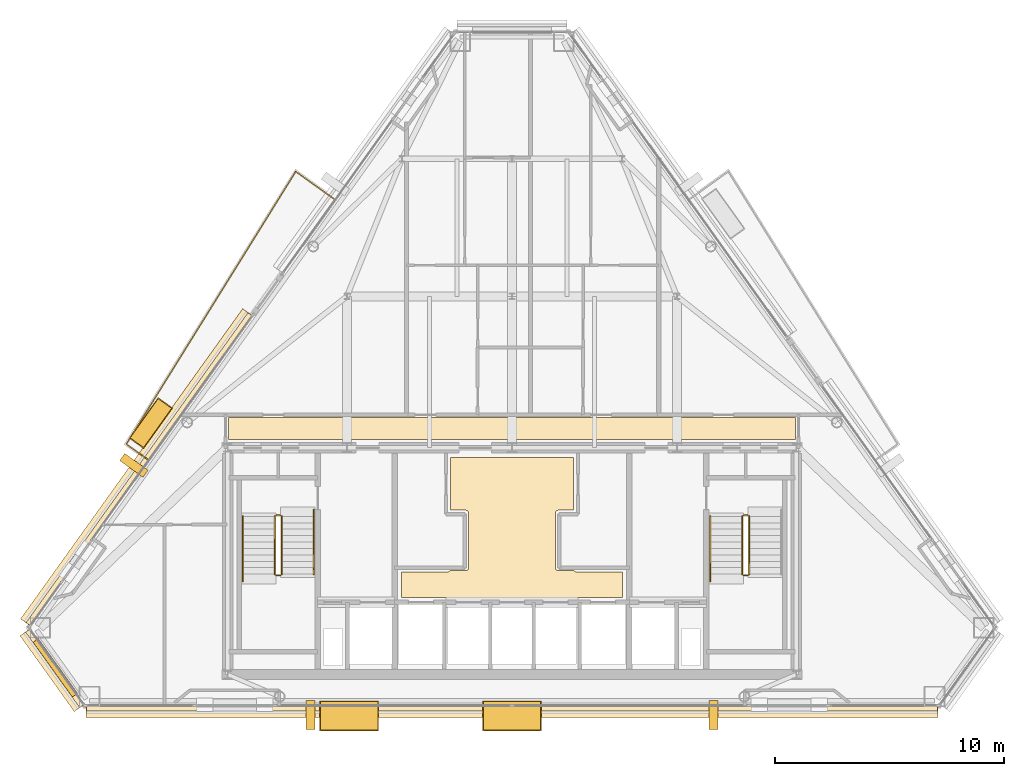
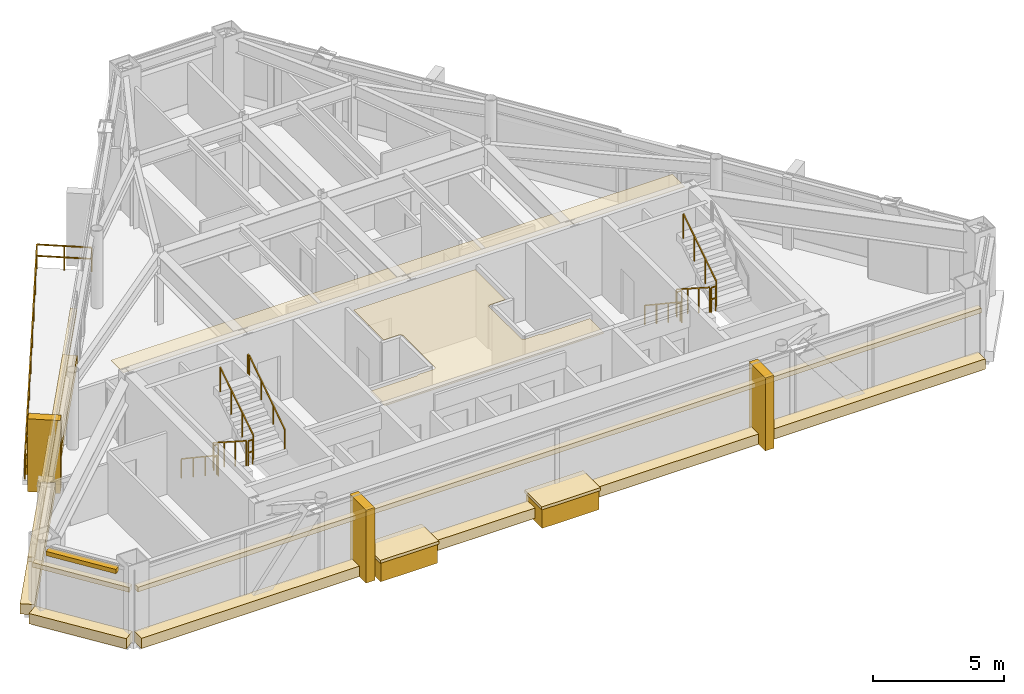
# One storey, part 11 of 12: 17 coverings, 12 railings, 1 shading device.
"""IFC4 building model written with IfcOpenShell, lengths in metres."""

from ifc_helpers import new_model, si_unit, direction, frame, origin, origin_2d, place, context, subcontext, project, spatial, polyline, rectangle, outline, extrude, source, transform, mapped, material, layer, layer_set, type_object, type_shapes, element, save


model = new_model("IFC4")

# Units and contexts
model_context = context("Model", 3, precision=1e-05, world=origin(), true_north=direction((0.0, 1.0)))
body_context = subcontext(model_context, "Body", "Model", "MODEL_VIEW")
ifc_project = project(units=[si_unit("LENGTHUNIT", "METRE"), si_unit("AREAUNIT", "SQUARE_METRE"), si_unit("VOLUMEUNIT", "CUBIC_METRE"), si_unit("PLANEANGLEUNIT", "RADIAN"), si_unit("MASSUNIT", "GRAM", prefix="KILO")], contexts=[model_context])

# Site, building, storey
site_placement = place(None, origin())
site = spatial("IfcSite", under=ifc_project, at=site_placement, CompositionType="ELEMENT")
building_placement = place(site_placement, origin())
building = spatial("IfcBuilding", under=site, at=building_placement, Name="Talgorran Terracotta Tower", CompositionType="ELEMENT")
storey_placement = place(building_placement, frame((0.0, 0.0, 249.0)))
storey = spatial("IfcBuildingStorey", under=building, at=storey_placement, Name="L65", CompositionType="ELEMENT", Elevation=249.0)

# Coverings
ifc_material_1 = material(Name="Kiln-Fired Terracotta Ochre Ceramic", Category="masonry")
ifc_layer_1 = layer(ifc_material_1, 0.179931640625, Name="COV_BAGUETTE_TERRACOTTA_SCREEN")
ifc_layer_set_1 = layer_set([ifc_layer_1], Name="Kiln-Fired Terracotta Ochre Ceramic")
covering_type_1 = type_object("IfcCoveringType", Name="COV_BAGUETTE_TERRACOTTA_SCREEN", PredefinedType="CLADDING", material=ifc_layer_set_1)
covering_1_placement = place(storey_placement, frame((-19.938720703125, -13.818115234375, 2.41015625), z_axis=(0.0, 0.0, 1.0), x_axis=(0.582222304811, -0.813029635242, 0.0)))
element("IfcCovering", 1, at=covering_1_placement, inside=storey, type_object=covering_type_1, Name="L65 Terracotta Baguette Solar Screen Assembly F0", PredefinedType="CLADDING", context=body_context, shape_type="SweptSolid", body=[
    extrude(rectangle(XDim=4.050048828125, YDim=0.260009765625, at=origin_2d()), origin(), (0.0, 0.0, 1.0), 0.219970703125),
])
covering_2_placement = place(storey_placement, frame((0.0, -15.563232421875, 2.41015625), z_axis=(0.0, 0.0, 1.0), x_axis=(1.0, 0.0, 0.0)))
element("IfcCovering", 2, at=covering_2_placement, inside=storey, type_object=covering_type_1, Name="L65 Terracotta Baguette Solar Screen Assembly F1", PredefinedType="CLADDING", context=body_context, shape_type="SweptSolid", body=[
    extrude(rectangle(XDim=37.13525390625, YDim=0.260009765625, at=origin_2d()), origin(), (0.0, 0.0, 1.0), 0.219970703125),
])
covering_3_placement = place(storey_placement, frame((-16.253662109375, -5.149169921875, 2.41015625), z_axis=(0.0, 0.0, 1.0), x_axis=(-0.582208114678, -0.813039796814, 0.0)))
element("IfcCovering", 3, at=covering_3_placement, inside=storey, type_object=covering_type_1, Name="L65 Terracotta Baguette Solar Screen Assembly F61", PredefinedType="CLADDING", context=body_context, shape_type="SweptSolid", body=[
    extrude(rectangle(XDim=16.628662109375, YDim=0.260009765625, at=origin_2d()), origin(), (0.0, 0.0, 1.0), 0.219970703125),
])
ifc_material_2 = material(Name="Mineral Fibre Acoustic Tile")
ifc_layer_2 = layer(ifc_material_2, 0.02490234375, Name="COV_CEIL_ACOUSTIC")
ifc_layer_set_2 = layer_set([ifc_layer_2], Name="Mineral Fibre Acoustic Tile")
covering_type_2 = type_object("IfcCoveringType", Name="COV_CEIL_ACOUSTIC", PredefinedType="CEILING", material=ifc_layer_set_2)
covering_4_placement = place(storey_placement, frame((0.0, 0.0, 3.2548828125)))
element("IfcCovering", 4, at=covering_4_placement, inside=storey, type_object=covering_type_2, Name="CEIL-L65-2", PredefinedType="CEILING", context=body_context, shape_type="SweptSolid", body=[
    extrude(outline(polyline([(-12.364990234375, -2.885009765625), (12.364990234375, -2.885009765625), (12.364990234375, -3.844970703125), (7.432861328125, -3.844970703125), (6.968017578125, -3.843017578125), (6.967529296875, -3.843017578125), (0.232666015625, -3.844970703125), (-0.23193359375, -3.843017578125), (-0.232421875, -3.843017578125), (-6.96728515625, -3.844970703125), (-7.431884765625, -3.843017578125), (-7.4326171875, -3.843017578125), (-12.364990234375, -3.844970703125), (-12.364990234375, -2.885009765625)])), origin(), (0.0, 0.0, 1.0), 0.02001953125),
])
ifc_material_3 = material(Name="Flush Moisture-Resistant Plaster")
ifc_layer_3 = layer(ifc_material_3, 0.01806640625, Name="COV_CEIL_PLASTER")
ifc_layer_set_3 = layer_set([ifc_layer_3], Name="Flush Moisture-Resistant Plaster")
covering_type_3 = type_object("IfcCoveringType", Name="COV_CEIL_PLASTER", PredefinedType="CEILING", material=ifc_layer_set_3)
covering_5_placement = place(storey_placement, frame((0.0, 0.0, 3.2548828125)))
element("IfcCovering", 5, at=covering_5_placement, inside=storey, type_object=covering_type_3, Name="CEIL-L65-1", PredefinedType="CEILING", context=body_context, shape_type="SweptSolid", body=[
    extrude(outline(polyline([(-2.70263671875, -9.570068359375), (-2.02001953125, -9.570068359375), (-2.00830078125, -9.5693359375), (-1.99658203125, -9.567626953125), (-1.985107421875, -9.564697265625), (-1.97412109375, -9.560791015625), (-1.96337890625, -9.555908203125), (-1.953369140625, -9.5498046875), (-1.94384765625, -9.542724609375), (-1.93505859375, -9.534912109375), (-1.92724609375, -9.526123046875), (-1.920166015625, -9.5166015625), (-1.914306640625, -9.506591796875), (-1.9091796875, -9.495849609375), (-1.9052734375, -9.48486328125), (-1.90234375, -9.473388671875), (-1.900634765625, -9.4619140625), (-1.89990234375, -9.449951171875), (-1.89990234375, -7.050048828125), (-1.900634765625, -7.0380859375), (-1.90234375, -7.026611328125), (-1.9052734375, -7.01513671875), (-1.9091796875, -7.004150390625), (-1.914306640625, -6.993408203125), (-1.920166015625, -6.9833984375), (-1.92724609375, -6.973876953125), (-1.93505859375, -6.965087890625), (-1.94384765625, -6.957275390625), (-1.953369140625, -6.9501953125), (-1.96337890625, -6.944091796875), (-1.97412109375, -6.939208984375), (-1.985107421875, -6.935302734375), (-1.99658203125, -6.932373046875), (-2.00830078125, -6.9306640625), (-2.02001953125, -6.929931640625), (-2.679931640625, -6.929931640625), (-2.679931640625, -4.6201171875), (2.679931640625, -4.6201171875), (2.679931640625, -6.929931640625), (2.02001953125, -6.929931640625), (2.00830078125, -6.9306640625), (1.99658203125, -6.932373046875), (1.985107421875, -6.935302734375), (1.97412109375, -6.939208984375), (1.96337890625, -6.944091796875), (1.953369140625, -6.9501953125), (1.94384765625, -6.957275390625), (1.93505859375, -6.965087890625), (1.92724609375, -6.973876953125), (1.920166015625, -6.9833984375), (1.914306640625, -6.993408203125), (1.9091796875, -7.004150390625), (1.9052734375, -7.01513671875), (1.90234375, -7.026611328125), (1.900634765625, -7.0380859375), (1.89990234375, -7.050048828125), (1.89990234375, -9.449951171875), (1.900634765625, -9.4619140625), (1.90234375, -9.473388671875), (1.9052734375, -9.48486328125), (1.9091796875, -9.495849609375), (1.914306640625, -9.506591796875), (1.920166015625, -9.5166015625), (1.92724609375, -9.526123046875), (1.93505859375, -9.534912109375), (1.94384765625, -9.542724609375), (1.953369140625, -9.5498046875), (1.96337890625, -9.555908203125), (1.97412109375, -9.560791015625), (1.985107421875, -9.564697265625), (1.99658203125, -9.567626953125), (2.00830078125, -9.5693359375), (2.02001953125, -9.570068359375), (2.70263671875, -9.570068359375), (2.707275390625, -9.576171875), (2.715087890625, -9.5849609375), (2.723876953125, -9.5927734375), (2.7333984375, -9.599853515625), (2.743408203125, -9.605712890625), (2.754150390625, -9.61083984375), (2.76513671875, -9.61474609375), (2.776611328125, -9.61767578125), (2.7880859375, -9.619384765625), (2.800048828125, -9.6201171875), (4.830078125, -9.6201171875), (4.830078125, -10.72998046875), (-4.830078125, -10.72998046875), (-4.830078125, -9.6201171875), (-2.800048828125, -9.6201171875), (-2.7880859375, -9.619384765625), (-2.776611328125, -9.61767578125), (-2.76513671875, -9.61474609375), (-2.754150390625, -9.61083984375), (-2.743408203125, -9.605712890625), (-2.7333984375, -9.599853515625), (-2.723876953125, -9.5927734375), (-2.715087890625, -9.5849609375), (-2.707275390625, -9.576171875), (-2.70263671875, -9.570068359375)])), origin(), (0.0, 0.0, 1.0), 0.02001953125),
])
ifc_material_4 = material(Name="Honed Limestone and Terracotta Planter", Category="masonry")
ifc_layer_4 = layer(ifc_material_4, 0.1201171875, Name="COV_PLANTER_BOX")
ifc_layer_set_4 = layer_set([ifc_layer_4], Name="Honed Limestone and Terracotta Planter")
covering_type_4 = type_object("IfcCoveringType", Name="COV_PLANTER_BOX", PredefinedType="CLADDING", material=ifc_layer_set_4)
for number, where, z_axis, x_axis, name in (
    (6, (-7.105712890625, -15.9033203125, -0.179931640625), (0.0, 0.0, 1.0), (1.0, 0.0, 0.0), "L65 Staggered South Facade Planter Box 1"),
    (7, (0.0, -15.9033203125, -0.179931640625), (0.0, 0.0, 1.0), (1.0, 0.0, 0.0), "L65 Staggered South Facade Planter Box 2"),
):
    element("IfcCovering", number, at=place(storey_placement, frame(where, z_axis=z_axis, x_axis=x_axis)), inside=storey, type_object=covering_type_4, Name=name, PredefinedType="CLADDING", context=body_context, shape_type="SweptSolid", body=[
        extrude(rectangle(XDim=2.5, YDim=1.25, at=origin_2d()), origin(), (0.0, 0.0, 1.0), 0.919921875),
    ])
covering_6_placement = place(storey_placement, frame((-15.75439453125, -3.12939453125, -0.02001953125), z_axis=(0.0, 0.0, 1.0), x_axis=(-0.582208114678, -0.813039796814, 0.0)))
element("IfcCovering", 8, at=covering_6_placement, inside=storey, type_object=covering_type_4, Name="L65 Staggered Balcony Planter Box BAL-NW", PredefinedType="CLADDING", context=body_context, shape_type="SweptSolid", body=[
    extrude(rectangle(XDim=2.10009765625, YDim=0.719970703125, at=origin_2d()), origin(), (0.0, 0.0, 1.0), 0.860107421875),
])
ifc_material_5 = material(Name="Kiln-Fired Terracotta Planter Rim", Category="masonry")
ifc_layer_5 = layer(ifc_material_5, 0.10009765625, Name="COV_PLANTER_RIM")
ifc_layer_set_5 = layer_set([ifc_layer_5], Name="Kiln-Fired Terracotta Planter Rim")
covering_type_5 = type_object("IfcCoveringType", Name="COV_PLANTER_RIM", PredefinedType="CLADDING", material=ifc_layer_set_5)
for number, where, z_axis, x_axis, name in (
    (9, (-7.105712890625, -15.9033203125, 0.7099609375), (0.0, 0.0, 1.0), (1.0, 0.0, 0.0), "L65 South Planter Terracotta Rim 1"),
    (10, (0.0, -15.9033203125, 0.7099609375), (0.0, 0.0, 1.0), (1.0, 0.0, 0.0), "L65 South Planter Terracotta Rim 2"),
):
    element("IfcCovering", number, at=place(storey_placement, frame(where, z_axis=z_axis, x_axis=x_axis)), inside=storey, type_object=covering_type_5, Name=name, PredefinedType="CLADDING", context=body_context, shape_type="SweptSolid", body=[
        extrude(rectangle(XDim=2.580078125, YDim=1.320068359375, at=origin_2d()), origin(), (0.0, 0.0, 1.0), 0.139892578125),
    ])
covering_7_placement = place(storey_placement, frame((-15.75439453125, -3.12939453125, 0.800048828125), z_axis=(0.0, 0.0, 1.0), x_axis=(-0.582208114678, -0.813039796814, 0.0)))
element("IfcCovering", 11, at=covering_7_placement, inside=storey, type_object=covering_type_5, Name="L65 Balcony Planter Terracotta Rim BAL-NW", PredefinedType="CLADDING", context=body_context, shape_type="SweptSolid", body=[
    extrude(rectangle(XDim=2.179931640625, YDim=0.780029296875, at=origin_2d()), origin(), (0.0, 0.0, 1.0), 0.1201171875),
])
ifc_material_6 = material(Name="Honed Limestone Cladding", Category="masonry")
ifc_layer_6 = layer(ifc_material_6, 0.094970703125, Name="COV_PORTAL_LIME")
ifc_layer_set_6 = layer_set([ifc_layer_6], Name="Honed Limestone Cladding")
covering_type_6 = type_object("IfcCoveringType", Name="COV_PORTAL_LIME", PredefinedType="CLADDING", material=ifc_layer_set_6)
covering_8_placement = place(storey_placement, frame((-8.788818359375, -15.86328125, -0.050048828125), z_axis=(0.0, 0.0, 1.0), x_axis=(1.0, 0.0, 0.0)))
element("IfcCovering", 12, at=covering_8_placement, inside=storey, type_object=covering_type_6, Name="L65 White Striped Portal Fin F1-1", PredefinedType="CLADDING", context=body_context, shape_type="SweptSolid", body=[
    extrude(rectangle(XDim=0.3798828125, YDim=1.25, at=origin_2d()), origin(), (0.0, 0.0, 1.0), 3.39501953125),
])
ifc_material_7 = material(Name="Kiln-Fired Terracotta Cladding", Category="masonry")
ifc_layer_7 = layer(ifc_material_7, 0.090087890625, Name="COV_PORTAL_TERRA")
ifc_layer_set_7 = layer_set([ifc_layer_7], Name="Kiln-Fired Terracotta Cladding")
covering_type_7 = type_object("IfcCoveringType", Name="COV_PORTAL_TERRA", PredefinedType="CLADDING", material=ifc_layer_set_7)
covering_9_placement = place(storey_placement, frame((-20.052490234375, -13.899658203125, -0.0400390625), z_axis=(0.0, 0.0, 1.0), x_axis=(0.582222304811, -0.813029635242, 0.0)))
element("IfcCovering", 13, at=covering_9_placement, inside=storey, type_object=covering_type_7, Name="L65 Striped Postmodern Portal Cladding Band F0", PredefinedType="CLADDING", context=body_context, shape_type="SweptSolid", body=[
    extrude(rectangle(XDim=4.070068359375, YDim=0.56005859375, at=origin_2d()), origin(), (0.0, 0.0, 1.0), 0.47998046875),
])
covering_10_placement = place(storey_placement, frame((0.0, -15.703369140625, -0.0400390625), z_axis=(0.0, 0.0, 1.0), x_axis=(1.0, 0.0, 0.0)))
element("IfcCovering", 14, at=covering_10_placement, inside=storey, type_object=covering_type_7, Name="L65 Striped Postmodern Portal Cladding Band F1", PredefinedType="CLADDING", context=body_context, shape_type="SweptSolid", body=[
    extrude(rectangle(XDim=37.1552734375, YDim=0.56005859375, at=origin_2d()), origin(), (0.0, 0.0, 1.0), 0.47998046875),
])
covering_11_placement = place(storey_placement, frame((-16.367431640625, -5.067626953125, -0.0400390625), z_axis=(0.0, 0.0, 1.0), x_axis=(-0.582208114678, -0.813039796814, 0.0)))
element("IfcCovering", 15, at=covering_11_placement, inside=storey, type_object=covering_type_7, Name="L65 Striped Postmodern Portal Cladding Band F61", PredefinedType="CLADDING", context=body_context, shape_type="SweptSolid", body=[
    extrude(rectangle(XDim=16.648681640625, YDim=0.56005859375, at=origin_2d()), origin(), (0.0, 0.0, 1.0), 0.47998046875),
])
for number, where, z_axis, x_axis, name in (
    (16, (8.788818359375, -15.86328125, -0.050048828125), (0.0, 0.0, 1.0), (1.0, 0.0, 0.0), "L65 Terracotta Striped Portal Fin F1-2"),
    (17, (-16.4970703125, -4.9736328125, -0.050048828125), (0.0, 0.0, 1.0), (-0.582208114678, -0.813039796814, 0.0), "L65 Terracotta Striped Portal Fin F5-2"),
):
    element("IfcCovering", number, at=place(storey_placement, frame(where, z_axis=z_axis, x_axis=x_axis)), inside=storey, type_object=covering_type_7, Name=name, PredefinedType="CLADDING", context=body_context, shape_type="SweptSolid", body=[
        extrude(rectangle(XDim=0.3798828125, YDim=1.25, at=origin_2d()), origin(), (0.0, 0.0, 1.0), 3.39501953125),
    ])

# Railings
ifc_material_8 = material(Name="Laminated Glass and Stainless Steel 316", Category="steel")
railing_type_1 = type_object("IfcRailingType", Name="RL_BALCONY_1150", PredefinedType="BALUSTRADE", material=ifc_material_8)
railing_1_placement = place(storey_placement, frame((-7.726318359375, 6.62158203125, 0.0)))
element("IfcRailing", 18, at=railing_1_placement, inside=storey, type_object=railing_type_1, Name="RL-L65-BAL-BAL-NW", PredefinedType="BALUSTRADE", context=body_context, shape_type="SweptSolid", body=[
    extrude(rectangle(XDim=0.048095703125, YDim=0.048095703125, at=origin_2d()), frame((0.0, 0.0, 1.1259765625), z_axis=(-0.813026876026, 0.582226157828, 0.0), x_axis=(-0.582226157828, -0.813026876026, 0.0)), (0.0, 0.0, 1.0), 2.102783203125),
    extrude(rectangle(XDim=0.048095703125, YDim=0.048095703125, at=origin_2d()), frame((0.0, 0.0, 0.597900390625), z_axis=(-0.813026876026, 0.582226157828, 0.0), x_axis=(-0.582226157828, -0.813026876026, 0.0)), (0.0, 0.0, 1.0), 2.102783203125),
    extrude(rectangle(XDim=0.048095703125, YDim=0.048095703125, at=origin_2d()), frame((-1.709716796875, 1.224365234375, 1.1259765625), z_axis=(-0.527807671519, -0.849363916049, 0.0), x_axis=(0.849363916049, -0.527807671519, 0.0)), (0.0, 0.0, 1.0), 14.001953125),
    extrude(rectangle(XDim=0.048095703125, YDim=0.048095703125, at=origin_2d()), frame((-1.709716796875, 1.224365234375, 0.597900390625), z_axis=(-0.527807671519, -0.849363916049, 0.0), x_axis=(0.849363916049, -0.527807671519, 0.0)), (0.0, 0.0, 1.0), 14.001953125),
    extrude(rectangle(XDim=0.048095703125, YDim=0.048095703125, at=origin_2d()), frame((-9.10009765625, -10.66845703125, 1.1259765625), z_axis=(0.81307992825, -0.582152068001, 0.0), x_axis=(0.582152068001, 0.81307992825, 0.0)), (0.0, 0.0, 1.0), 1.187255859375),
    extrude(rectangle(XDim=0.048095703125, YDim=0.048095703125, at=origin_2d()), frame((-9.10009765625, -10.66845703125, 0.597900390625), z_axis=(0.81307992825, -0.582152068001, 0.0), x_axis=(0.582152068001, 0.81307992825, 0.0)), (0.0, 0.0, 1.0), 1.187255859375),
    extrude(rectangle(XDim=0.0419921875, YDim=0.0419921875, at=origin_2d()), origin(), (0.0, 0.0, 1.0), 1.101806640625),
    extrude(rectangle(XDim=0.0419921875, YDim=0.0419921875, at=origin_2d()), frame((-0.85498046875, 0.6123046875, 0.0)), (0.0, 0.0, 1.0), 1.101806640625),
    extrude(rectangle(XDim=0.0419921875, YDim=0.0419921875, at=origin_2d()), frame((-1.709716796875, 1.224365234375, 0.0)), (0.0, 0.0, 1.0), 1.101806640625),
    extrude(rectangle(XDim=0.0419921875, YDim=0.0419921875, at=origin_2d()), frame((-2.633544921875, -0.26220703125, 0.0)), (0.0, 0.0, 1.0), 1.101806640625),
    extrude(rectangle(XDim=0.0419921875, YDim=0.0419921875, at=origin_2d()), frame((-3.557373046875, -1.748779296875, 0.0)), (0.0, 0.0, 1.0), 1.101806640625),
    extrude(rectangle(XDim=0.0419921875, YDim=0.0419921875, at=origin_2d()), frame((-4.481201171875, -3.2353515625, 0.0)), (0.0, 0.0, 1.0), 1.101806640625),
    extrude(rectangle(XDim=0.0419921875, YDim=0.0419921875, at=origin_2d()), frame((-5.40478515625, -4.72216796875, 0.0)), (0.0, 0.0, 1.0), 1.101806640625),
    extrude(rectangle(XDim=0.0419921875, YDim=0.0419921875, at=origin_2d()), frame((-6.32861328125, -6.208740234375, 0.0)), (0.0, 0.0, 1.0), 1.101806640625),
    extrude(rectangle(XDim=0.0419921875, YDim=0.0419921875, at=origin_2d()), frame((-7.25244140625, -7.6953125, 0.0)), (0.0, 0.0, 1.0), 1.101806640625),
    extrude(rectangle(XDim=0.0419921875, YDim=0.0419921875, at=origin_2d()), frame((-8.17626953125, -9.181884765625, 0.0)), (0.0, 0.0, 1.0), 1.101806640625),
    extrude(rectangle(XDim=0.0419921875, YDim=0.0419921875, at=origin_2d()), frame((-9.10009765625, -10.66845703125, 0.0)), (0.0, 0.0, 1.0), 1.101806640625),
    extrude(rectangle(XDim=0.0419921875, YDim=0.0419921875, at=origin_2d()), frame((-8.134765625, -11.359619140625, 0.0)), (0.0, 0.0, 1.0), 1.101806640625),
])
ifc_material_9 = material(Name="Steel S355 (300PLUS)", Category="steel")
railing_type_2 = type_object("IfcRailingType", Name="RL_HANDRAIL_920", PredefinedType="HANDRAIL", material=ifc_material_9)
railing_2_placement = place(storey_placement, frame((-11.75, -7.199951171875, 0.179931640625)))
element("IfcRailing", 19, at=railing_2_placement, inside=storey, type_object=railing_type_2, Name="L65 ST-01 stair handrail 1", PredefinedType="HANDRAIL", context=body_context, shape_type="SweptSolid", body=[
    extrude(rectangle(XDim=0.048095703125, YDim=0.048095703125, at=origin_2d()), frame((0.0, 0.0, 0.89599609375), z_axis=(0.0, -0.832038719335, 0.554717558338), x_axis=(1.0, 0.0, 0.0)), (0.0, 0.0, 1.0), 3.244873046875),
    extrude(rectangle(XDim=0.048095703125, YDim=0.048095703125, at=origin_2d()), frame((0.0, -2.699951171875, 2.69580078125), z_axis=(0.0, -1.0, 0.0), x_axis=(1.0, 0.0, 0.0)), (0.0, 0.0, 1.0), 0.1201171875),
    extrude(rectangle(XDim=0.0419921875, YDim=0.0419921875, at=origin_2d()), origin(), (0.0, 0.0, 1.0), 0.871826171875),
    extrude(rectangle(XDim=0.0419921875, YDim=0.0419921875, at=origin_2d()), frame((0.0, -0.89990234375, 0.60009765625)), (0.0, 0.0, 1.0), 0.871826171875),
    extrude(rectangle(XDim=0.0419921875, YDim=0.0419921875, at=origin_2d()), frame((0.0, -1.800048828125, 1.199951171875)), (0.0, 0.0, 1.0), 0.871826171875),
    extrude(rectangle(XDim=0.0419921875, YDim=0.0419921875, at=origin_2d()), frame((0.0, -2.699951171875, 1.800048828125)), (0.0, 0.0, 1.0), 0.871826171875),
    extrude(rectangle(XDim=0.0419921875, YDim=0.0419921875, at=origin_2d()), frame((0.0, -2.820068359375, 1.800048828125)), (0.0, 0.0, 1.0), 0.871826171875),
])
railing_3_placement = place(storey_placement, frame((-8.64990234375, -9.719970703125, 1.97998046875)))
element("IfcRailing", 20, at=railing_3_placement, inside=storey, type_object=railing_type_2, Name="L65 ST-01 stair handrail 2", PredefinedType="HANDRAIL", context=body_context, shape_type="SweptSolid", body=[
    extrude(rectangle(XDim=0.048095703125, YDim=0.048095703125, at=origin_2d()), frame((0.0, 0.0, 0.89599609375), z_axis=(0.0, 0.832038719335, 0.554717558338), x_axis=(-1.0, 0.0, 0.0)), (0.0, 0.0, 1.0), 3.244873046875),
    extrude(rectangle(XDim=0.048095703125, YDim=0.048095703125, at=origin_2d()), frame((0.0, 2.699951171875, 2.69580078125), z_axis=(0.0, 1.0, 0.0), x_axis=(-1.0, 0.0, 0.0)), (0.0, 0.0, 1.0), 0.1201171875),
    extrude(rectangle(XDim=0.0419921875, YDim=0.0419921875, at=origin_2d()), origin(), (0.0, 0.0, 1.0), 0.871826171875),
    extrude(rectangle(XDim=0.0419921875, YDim=0.0419921875, at=origin_2d()), frame((0.0, 0.89990234375, 0.60009765625)), (0.0, 0.0, 1.0), 0.871826171875),
    extrude(rectangle(XDim=0.0419921875, YDim=0.0419921875, at=origin_2d()), frame((0.0, 1.800048828125, 1.199951171875)), (0.0, 0.0, 1.0), 0.871826171875),
    extrude(rectangle(XDim=0.0419921875, YDim=0.0419921875, at=origin_2d()), frame((0.0, 2.699951171875, 1.800048828125)), (0.0, 0.0, 1.0), 0.871826171875),
    extrude(rectangle(XDim=0.0419921875, YDim=0.0419921875, at=origin_2d()), frame((0.0, 2.820068359375, 1.800048828125)), (0.0, 0.0, 1.0), 0.871826171875),
])
railing_4_placement = place(storey_placement, frame((8.64990234375, -7.199951171875, 0.179931640625)))
element("IfcRailing", 21, at=railing_4_placement, inside=storey, type_object=railing_type_2, Name="L65 ST-02 stair handrail 1", PredefinedType="HANDRAIL", context=body_context, shape_type="SweptSolid", body=[
    extrude(rectangle(XDim=0.048095703125, YDim=0.048095703125, at=origin_2d()), frame((0.0, 0.0, 0.89599609375), z_axis=(0.0, -0.832038719335, 0.554717558338), x_axis=(1.0, 0.0, 0.0)), (0.0, 0.0, 1.0), 3.244873046875),
    extrude(rectangle(XDim=0.048095703125, YDim=0.048095703125, at=origin_2d()), frame((0.0, -2.699951171875, 2.69580078125), z_axis=(0.0, -1.0, 0.0), x_axis=(1.0, 0.0, 0.0)), (0.0, 0.0, 1.0), 0.1201171875),
    extrude(rectangle(XDim=0.0419921875, YDim=0.0419921875, at=origin_2d()), origin(), (0.0, 0.0, 1.0), 0.871826171875),
    extrude(rectangle(XDim=0.0419921875, YDim=0.0419921875, at=origin_2d()), frame((0.0, -0.89990234375, 0.60009765625)), (0.0, 0.0, 1.0), 0.871826171875),
    extrude(rectangle(XDim=0.0419921875, YDim=0.0419921875, at=origin_2d()), frame((0.0, -1.800048828125, 1.199951171875)), (0.0, 0.0, 1.0), 0.871826171875),
    extrude(rectangle(XDim=0.0419921875, YDim=0.0419921875, at=origin_2d()), frame((0.0, -2.699951171875, 1.800048828125)), (0.0, 0.0, 1.0), 0.871826171875),
    extrude(rectangle(XDim=0.0419921875, YDim=0.0419921875, at=origin_2d()), frame((0.0, -2.820068359375, 1.800048828125)), (0.0, 0.0, 1.0), 0.871826171875),
])
railing_type_3 = type_object("IfcRailingType", Name="RL_STAIR_GUARD", PredefinedType="GUARDRAIL", material=ifc_material_9)
railing_5_placement = place(storey_placement, frame((-10.35009765625, -7.199951171875, 0.179931640625)))
element("IfcRailing", 22, at=railing_5_placement, inside=storey, type_object=railing_type_3, Name="L65 ST-01 stair guard 1", PredefinedType="GUARDRAIL", context=body_context, shape_type="SweptSolid", body=[
    extrude(rectangle(XDim=0.048095703125, YDim=0.048095703125, at=origin_2d()), frame((0.0, 0.0, 1.15576171875), z_axis=(0.0, -0.841162588446, 0.540782303519), x_axis=(1.0, 0.0, 0.0)), (0.0, 0.0, 1.0), 2.995849609375),
    extrude(rectangle(XDim=0.0419921875, YDim=0.0419921875, at=origin_2d()), origin(), (0.0, 0.0, 1.0), 1.1318359375),
    extrude(rectangle(XDim=0.0419921875, YDim=0.0419921875, at=origin_2d()), frame((0.0, -0.840087890625, 0.5400390625)), (0.0, 0.0, 1.0), 1.1318359375),
    extrude(rectangle(XDim=0.0419921875, YDim=0.0419921875, at=origin_2d()), frame((0.0, -1.679931640625, 1.080078125)), (0.0, 0.0, 1.0), 1.1318359375),
    extrude(rectangle(XDim=0.0419921875, YDim=0.0419921875, at=origin_2d()), frame((0.0, -2.52001953125, 1.6201171875)), (0.0, 0.0, 1.0), 1.1318359375),
])
railing_6_placement = place(storey_placement, frame((-10.300048828125, -9.77001953125, 1.800048828125)))
element("IfcRailing", 23, at=railing_6_placement, inside=storey, type_object=railing_type_3, Name="L65 ST-01 stair guard 2", PredefinedType="GUARDRAIL", context=body_context, shape_type="SweptSolid", body=[
    extrude(rectangle(XDim=0.048095703125, YDim=0.048095703125, at=origin_2d()), frame((0.0, 0.0, 1.15576171875), z_axis=(1.0, 0.0, 0.0), x_axis=(0.0, 1.0, 0.0)), (0.0, 0.0, 1.0), 0.199951171875),
    extrude(rectangle(XDim=0.048095703125, YDim=0.048095703125, at=origin_2d()), frame((0.0, 0.0, 0.613525390625), z_axis=(1.0, 0.0, 0.0), x_axis=(0.0, 1.0, 0.0)), (0.0, 0.0, 1.0), 0.199951171875),
    extrude(rectangle(XDim=0.0419921875, YDim=0.0419921875, at=origin_2d()), origin(), (0.0, 0.0, 1.0), 1.1318359375),
    extrude(rectangle(XDim=0.0419921875, YDim=0.0419921875, at=origin_2d()), frame((0.199951171875, 0.0, 0.0)), (0.0, 0.0, 1.0), 1.1318359375),
])
railing_7_placement = place(storey_placement, frame((-10.050048828125, -9.719970703125, 1.97998046875)))
element("IfcRailing", 24, at=railing_7_placement, inside=storey, type_object=railing_type_3, Name="L65 ST-01 stair guard 3", PredefinedType="GUARDRAIL", context=body_context, shape_type="SweptSolid", body=[
    extrude(rectangle(XDim=0.048095703125, YDim=0.048095703125, at=origin_2d()), frame((0.0, 0.0, 1.15576171875), z_axis=(0.0, 0.841162588446, 0.540782303519), x_axis=(-1.0, 0.0, 0.0)), (0.0, 0.0, 1.0), 2.995849609375),
    extrude(rectangle(XDim=0.0419921875, YDim=0.0419921875, at=origin_2d()), origin(), (0.0, 0.0, 1.0), 1.1318359375),
    extrude(rectangle(XDim=0.0419921875, YDim=0.0419921875, at=origin_2d()), frame((0.0, 0.840087890625, 0.5400390625)), (0.0, 0.0, 1.0), 1.1318359375),
    extrude(rectangle(XDim=0.0419921875, YDim=0.0419921875, at=origin_2d()), frame((0.0, 1.679931640625, 1.080078125)), (0.0, 0.0, 1.0), 1.1318359375),
    extrude(rectangle(XDim=0.0419921875, YDim=0.0419921875, at=origin_2d()), frame((0.0, 2.52001953125, 1.6201171875)), (0.0, 0.0, 1.0), 1.1318359375),
])
railing_8_placement = place(storey_placement, frame((-10.300048828125, -7.14990234375, 0.0)))
element("IfcRailing", 25, at=railing_8_placement, inside=storey, type_object=railing_type_3, Name="L65 ST-01 stair guard 4", PredefinedType="GUARDRAIL", context=body_context, shape_type="SweptSolid", body=[
    extrude(rectangle(XDim=0.048095703125, YDim=0.048095703125, at=origin_2d()), frame((0.0, 0.0, 1.15576171875), z_axis=(1.0, 0.0, 0.0), x_axis=(0.0, 1.0, 0.0)), (0.0, 0.0, 1.0), 0.199951171875),
    extrude(rectangle(XDim=0.048095703125, YDim=0.048095703125, at=origin_2d()), frame((0.0, 0.0, 0.613525390625), z_axis=(1.0, 0.0, 0.0), x_axis=(0.0, 1.0, 0.0)), (0.0, 0.0, 1.0), 0.199951171875),
    extrude(rectangle(XDim=0.0419921875, YDim=0.0419921875, at=origin_2d()), origin(), (0.0, 0.0, 1.0), 1.1318359375),
    extrude(rectangle(XDim=0.0419921875, YDim=0.0419921875, at=origin_2d()), frame((0.199951171875, 0.0, 0.0)), (0.0, 0.0, 1.0), 1.1318359375),
])
railing_9_placement = place(storey_placement, frame((10.050048828125, -7.199951171875, 0.179931640625)))
element("IfcRailing", 26, at=railing_9_placement, inside=storey, type_object=railing_type_3, Name="L65 ST-02 stair guard 1", PredefinedType="GUARDRAIL", context=body_context, shape_type="SweptSolid", body=[
    extrude(rectangle(XDim=0.048095703125, YDim=0.048095703125, at=origin_2d()), frame((0.0, 0.0, 1.15576171875), z_axis=(0.0, -0.841162588446, 0.540782303519), x_axis=(1.0, 0.0, 0.0)), (0.0, 0.0, 1.0), 2.995849609375),
    extrude(rectangle(XDim=0.0419921875, YDim=0.0419921875, at=origin_2d()), origin(), (0.0, 0.0, 1.0), 1.1318359375),
    extrude(rectangle(XDim=0.0419921875, YDim=0.0419921875, at=origin_2d()), frame((0.0, -0.840087890625, 0.5400390625)), (0.0, 0.0, 1.0), 1.1318359375),
    extrude(rectangle(XDim=0.0419921875, YDim=0.0419921875, at=origin_2d()), frame((0.0, -1.679931640625, 1.080078125)), (0.0, 0.0, 1.0), 1.1318359375),
    extrude(rectangle(XDim=0.0419921875, YDim=0.0419921875, at=origin_2d()), frame((0.0, -2.52001953125, 1.6201171875)), (0.0, 0.0, 1.0), 1.1318359375),
])
railing_10_placement = place(storey_placement, frame((10.10009765625, -9.77001953125, 1.800048828125)))
element("IfcRailing", 27, at=railing_10_placement, inside=storey, type_object=railing_type_3, Name="L65 ST-02 stair guard 2", PredefinedType="GUARDRAIL", context=body_context, shape_type="SweptSolid", body=[
    extrude(rectangle(XDim=0.048095703125, YDim=0.048095703125, at=origin_2d()), frame((0.0, 0.0, 1.15576171875), z_axis=(1.0, 0.0, 0.0), x_axis=(0.0, 1.0, 0.0)), (0.0, 0.0, 1.0), 0.199951171875),
    extrude(rectangle(XDim=0.048095703125, YDim=0.048095703125, at=origin_2d()), frame((0.0, 0.0, 0.613525390625), z_axis=(1.0, 0.0, 0.0), x_axis=(0.0, 1.0, 0.0)), (0.0, 0.0, 1.0), 0.199951171875),
    extrude(rectangle(XDim=0.0419921875, YDim=0.0419921875, at=origin_2d()), origin(), (0.0, 0.0, 1.0), 1.1318359375),
    extrude(rectangle(XDim=0.0419921875, YDim=0.0419921875, at=origin_2d()), frame((0.199951171875, 0.0, 0.0)), (0.0, 0.0, 1.0), 1.1318359375),
])
railing_11_placement = place(storey_placement, frame((10.35009765625, -9.719970703125, 1.97998046875)))
element("IfcRailing", 28, at=railing_11_placement, inside=storey, type_object=railing_type_3, Name="L65 ST-02 stair guard 3", PredefinedType="GUARDRAIL", context=body_context, shape_type="SweptSolid", body=[
    extrude(rectangle(XDim=0.048095703125, YDim=0.048095703125, at=origin_2d()), frame((0.0, 0.0, 1.15576171875), z_axis=(0.0, 0.841162588446, 0.540782303519), x_axis=(-1.0, 0.0, 0.0)), (0.0, 0.0, 1.0), 2.995849609375),
    extrude(rectangle(XDim=0.0419921875, YDim=0.0419921875, at=origin_2d()), origin(), (0.0, 0.0, 1.0), 1.1318359375),
    extrude(rectangle(XDim=0.0419921875, YDim=0.0419921875, at=origin_2d()), frame((0.0, 0.840087890625, 0.5400390625)), (0.0, 0.0, 1.0), 1.1318359375),
    extrude(rectangle(XDim=0.0419921875, YDim=0.0419921875, at=origin_2d()), frame((0.0, 1.679931640625, 1.080078125)), (0.0, 0.0, 1.0), 1.1318359375),
    extrude(rectangle(XDim=0.0419921875, YDim=0.0419921875, at=origin_2d()), frame((0.0, 2.52001953125, 1.6201171875)), (0.0, 0.0, 1.0), 1.1318359375),
])
railing_12_placement = place(storey_placement, frame((10.10009765625, -7.14990234375, 0.0)))
element("IfcRailing", 29, at=railing_12_placement, inside=storey, type_object=railing_type_3, Name="L65 ST-02 stair guard 4", PredefinedType="GUARDRAIL", context=body_context, shape_type="SweptSolid", body=[
    extrude(rectangle(XDim=0.048095703125, YDim=0.048095703125, at=origin_2d()), frame((0.0, 0.0, 1.15576171875), z_axis=(1.0, 0.0, 0.0), x_axis=(0.0, 1.0, 0.0)), (0.0, 0.0, 1.0), 0.199951171875),
    extrude(rectangle(XDim=0.048095703125, YDim=0.048095703125, at=origin_2d()), frame((0.0, 0.0, 0.613525390625), z_axis=(1.0, 0.0, 0.0), x_axis=(0.0, 1.0, 0.0)), (0.0, 0.0, 1.0), 0.199951171875),
    extrude(rectangle(XDim=0.0419921875, YDim=0.0419921875, at=origin_2d()), origin(), (0.0, 0.0, 1.0), 1.1318359375),
    extrude(rectangle(XDim=0.0419921875, YDim=0.0419921875, at=origin_2d()), frame((0.199951171875, 0.0, 0.0)), (0.0, 0.0, 1.0), 1.1318359375),
])

# Shading device
ifc_material_10 = material(Name="Kiln-Fired Terracotta", Category="masonry")
ifc_layer_8 = layer(ifc_material_10, 0.280029296875, Name="SHD_SUNSHADE_TERRA")
ifc_layer_set_8 = layer_set([ifc_layer_8], Name="Kiln-Fired Terracotta")
shading_device_type = type_object("IfcShadingDeviceType", Name="SHD_SUNSHADE_TERRA", PredefinedType="AWNING", material=ifc_layer_set_8)
shared_shape = source(origin(), body_context, "Body", "SweptSolid", [
    extrude(rectangle(XDim=2.93310546875, YDim=0.280029296875, at=origin_2d()), origin(), (0.0, 0.0, 1.0), 0.199951171875),
])
type_shapes(shading_device_type, [shared_shape])
shading_device_placement = place(storey_placement, frame((-19.92236328125, -13.806640625, 3.10498046875), z_axis=(0.0, 0.0, 1.0), x_axis=(0.582222304811, -0.813029635242, 0.0)))
element("IfcShadingDevice", 30, at=shading_device_placement, inside=storey, type_object=shading_device_type, Name="SHD-BROW-L65-F0", PredefinedType="AWNING", context=body_context, shape_type="MappedRepresentation", body=[
    mapped(shared_shape, transform((0.0, 0.0, 0.0), scale=1.0)),
])

save(model, "model.ifc")
